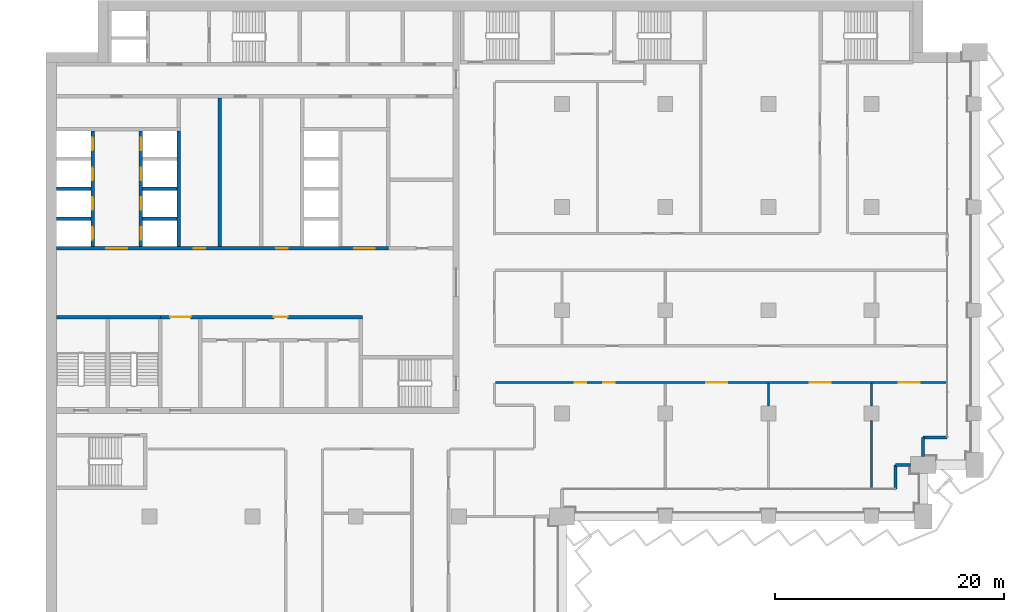
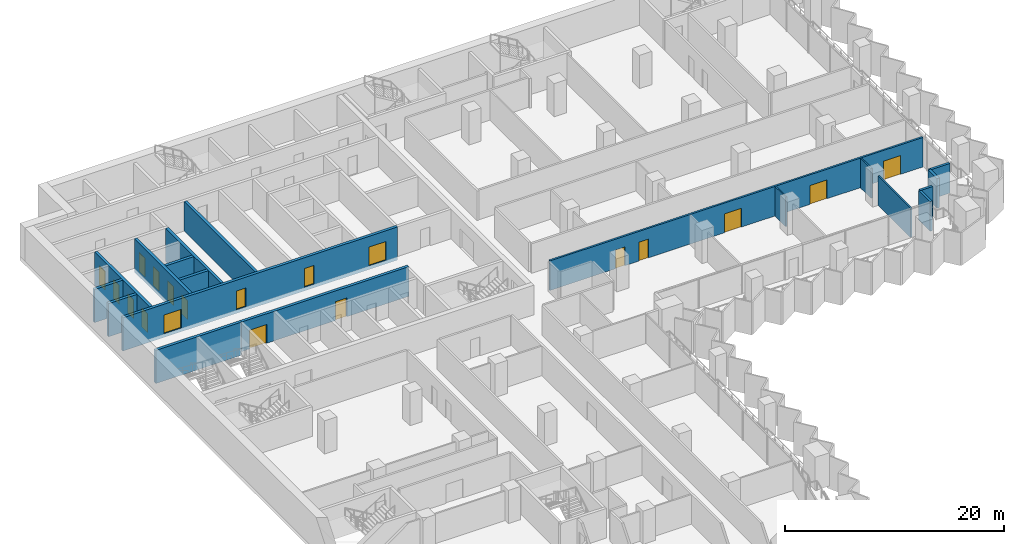
# One storey, part 12 of 23: 19 doors, 19 walls, 19 openings.
"""IFC4 building model written with IfcOpenShell, lengths in metres."""

from ifc_helpers import new_model, si_unit, direction, frame, frame_2d, origin, place, context, subcontext, project, spatial, rectangle, extrude, material, layer, layer_set, type_object, element, fill, save


model = new_model("IFC4")

# Units and contexts
model_context = context("Model", 3, precision=1e-05, world=origin(), true_north=direction((0.0, 1.0)))
body_context = subcontext(model_context, "Body", "Model", "MODEL_VIEW")
ifc_project = project(units=[si_unit("LENGTHUNIT", "METRE"), si_unit("AREAUNIT", "SQUARE_METRE"), si_unit("VOLUMEUNIT", "CUBIC_METRE"), si_unit("PLANEANGLEUNIT", "RADIAN"), si_unit("MASSUNIT", "GRAM", prefix="KILO")], contexts=[model_context])

# Site, building, storey
site_placement = place(None, origin())
site = spatial("IfcSite", under=ifc_project, at=site_placement, CompositionType="ELEMENT")
building_placement = place(site_placement, origin())
building = spatial("IfcBuilding", under=site, at=building_placement, Name="Hunhe Ridgeline Campus", CompositionType="ELEMENT")
storey_placement = place(building_placement, frame((0.0, 0.0, 95.89990234375)))
storey = spatial("IfcBuildingStorey", under=building, at=storey_placement, Name="L23", CompositionType="ELEMENT", Elevation=95.89990234375)

# Wall, openings, doors
ifc_material_1 = material(Name="Masonry concrete blockwork", Category="masonry")
ifc_layer_1 = layer(ifc_material_1, 0.300048828125)
ifc_layer_set_1 = layer_set([ifc_layer_1], Name="Core room partition 300 concrete block")
wall_type_1 = type_object("IfcWallType", Name="Core room partition 300 concrete block", PredefinedType="PARTITIONING", material=ifc_layer_set_1)
wall_1_placement = place(storey_placement, frame((9.949951171875, 71.39990234375, 0.0), z_axis=(0.0, 0.0, 1.0), x_axis=(1.0, 0.0, 0.0)))
wall_1 = element("IfcWall", 1, at=wall_1_placement, inside=storey, type_object=wall_type_1, Name="L23 core partition 11", PredefinedType="PARTITIONING", context=body_context, shape_type="SweptSolid", body=[
    extrude(rectangle(XDim=17.650146484375, YDim=0.300048828125, at=frame_2d((8.8251953125, 0.0))), origin(), (0.0, 0.0, 1.0), 3.300048828125),
])
opening_1_placement = place(wall_1_placement, frame((0.85009765625, 0.0, 0.0)))
opening_1 = element("IfcOpeningElement", 2, at=opening_1_placement, cuts=wall_1, Name="Opening CD7", PredefinedType="OPENING", context=body_context, shape_type="SweptSolid", body=[
    extrude(rectangle(XDim=1.800048828125, YDim=2.10009765625, at=frame_2d((0.89990234375, 1.050048828125))), frame((0.0, 0.14990234375, 0.0), z_axis=(0.0, -1.0, 0.0), x_axis=(1.0, 0.0, 0.0)), (0.0, 0.0, 1.0), 0.300048828125),
])
opening_2_placement = place(wall_1_placement, frame((9.89990234375, 0.0, 0.0)))
opening_2 = element("IfcOpeningElement", 3, at=opening_2_placement, cuts=wall_1, Name="Opening CD12", PredefinedType="OPENING", context=body_context, shape_type="SweptSolid", body=[
    extrude(rectangle(XDim=1.199951171875, YDim=2.10009765625, at=frame_2d((0.60009765625, 1.050048828125))), frame((0.0, 0.14990234375, 0.0), z_axis=(0.0, -1.0, 0.0), x_axis=(1.0, 0.0, 0.0)), (0.0, 0.0, 1.0), 0.300048828125),
])
ifc_material_2 = material(Name="Anodised aluminium and glass", Category="aluminium")
door_type_1 = type_object("IfcDoorType", Name="Glazed double door 1800x2100", OperationType="DOUBLE_DOOR_SINGLE_SWING", PredefinedType="DOOR", material=ifc_material_2)
door_1_placement = place(opening_1_placement, origin())
door_1 = element("IfcDoor", 4, at=door_1_placement, inside=storey, type_object=door_type_1, Name="L23 door VEST-HALL", OperationType="DOUBLE_DOOR_SINGLE_SWING", OverallHeight=2.10009765625, OverallWidth=1.800048828125, PredefinedType="DOOR", context=body_context, shape_type="SweptSolid", body=[
    extrude(rectangle(XDim=1.800048828125, YDim=2.10009765625, at=frame_2d((0.89990234375, 1.050048828125))), frame((0.0, 0.02490234375, 0.0), z_axis=(0.0, -1.0, 0.0), x_axis=(1.0, 0.0, 0.0)), (0.0, 0.0, 1.0), 0.050048828125),
])
fill(opening_1, door_1)
ifc_material_3 = material(Name="Solid core timber door leaf", Category="wood")
door_type_2 = type_object("IfcDoorType", Name="Timber door 1200x2100", OperationType="SINGLE_SWING_LEFT", PredefinedType="DOOR", material=ifc_material_3)
door_2_placement = place(opening_2_placement, origin())
door_2 = element("IfcDoor", 5, at=door_2_placement, inside=storey, type_object=door_type_2, Name="L23 door WCL2-HALL", OperationType="SINGLE_SWING_LEFT", OverallHeight=2.10009765625, OverallWidth=1.199951171875, PredefinedType="DOOR", context=body_context, shape_type="SweptSolid", body=[
    extrude(rectangle(XDim=1.199951171875, YDim=2.10009765625, at=frame_2d((0.60009765625, 1.050048828125))), frame((0.0, 0.02490234375, 0.0), z_axis=(0.0, -1.0, 0.0), x_axis=(1.0, 0.0, 0.0)), (0.0, 0.0, 1.0), 0.050048828125),
])
fill(opening_2, door_2)

# Walls
wall_2_placement = place(storey_placement, frame((15.14990234375, 77.550048828125, 0.0), z_axis=(0.0, 0.0, 1.0), x_axis=(0.0, 1.0, 0.0)))
element("IfcWall", 6, at=wall_2_placement, inside=storey, type_object=wall_type_1, Name="L23 core partition 44", PredefinedType="PARTITIONING", context=body_context, shape_type="SweptSolid", body=[
    extrude(rectangle(XDim=12.949951171875, YDim=0.300048828125, at=frame_2d((6.47509765625, 0.0))), origin(), (0.0, 0.0, 1.0), 3.300048828125),
])
ifc_material_4 = material(Name="Concrete C30", Category="concrete")
ifc_layer_2 = layer(ifc_material_4, 0.25)
ifc_layer_set_2 = layer_set([ifc_layer_2], Name="Corner return wall 250 Concrete C30")
wall_type_2 = type_object("IfcWallType", Name="Corner return wall 250 Concrete C30", PredefinedType="SOLIDWALL", material=ifc_layer_set_2)
wall_3_placement = place(storey_placement, frame((74.09912109375, 56.40087890625, 0.0), z_axis=(0.0, 0.0, 1.0), x_axis=(0.00011626555, 0.999999993241, 0.0)))
element("IfcWall", 7, at=wall_3_placement, inside=storey, type_object=wall_type_2, Name="Corner return wall 4", PredefinedType="SOLIDWALL", context=body_context, shape_type="SweptSolid", body=[
    extrude(rectangle(XDim=2.099853515625, YDim=0.25, at=frame_2d((1.0498046875, 0.0))), origin(), (0.0, 0.0, 1.0), 3.300048828125),
])
wall_4_placement = place(storey_placement, frame((74.099365234375, 58.500732421875, 0.0), z_axis=(0.0, 0.0, 1.0), x_axis=(0.99999998238, 0.000187722918, 0.0)))
element("IfcWall", 8, at=wall_4_placement, inside=storey, type_object=wall_type_2, Name="Corner return wall 5", PredefinedType="SOLIDWALL", context=body_context, shape_type="SweptSolid", body=[
    extrude(rectangle(XDim=1.300537109375, YDim=0.25, at=frame_2d((0.650390625, 0.0))), origin(), (0.0, 0.0, 1.0), 3.300048828125),
])
wall_5_placement = place(storey_placement, frame((76.4990234375, 59.25, 0.0), z_axis=(0.0, 0.0, 1.0), x_axis=(0.000147907113, 0.999999989062, 0.0)))
element("IfcWall", 9, at=wall_5_placement, inside=storey, type_object=wall_type_2, Name="Corner return wall 6", PredefinedType="SOLIDWALL", context=body_context, shape_type="SweptSolid", body=[
    extrude(rectangle(XDim=1.650634765625, YDim=0.25, at=frame_2d((0.8251953125, 0.0))), origin(), (0.0, 0.0, 1.0), 3.300048828125),
])
wall_6_placement = place(storey_placement, frame((76.499267578125, 60.900634765625, 0.0), z_axis=(0.0, 0.0, 1.0), x_axis=(0.999999993241, 0.00011626555, 0.0)))
element("IfcWall", 10, at=wall_6_placement, inside=storey, type_object=wall_type_2, Name="Corner return wall 7", PredefinedType="SOLIDWALL", context=body_context, shape_type="SweptSolid", body=[
    extrude(rectangle(XDim=2.099853515625, YDim=0.25, at=frame_2d((1.0498046875, 0.0))), origin(), (0.0, 0.0, 1.0), 3.300048828125),
])

# Wall, openings, doors
ifc_material_5 = material(Name="Gypsum board partition")
ifc_layer_3 = layer(ifc_material_5, 0.199951171875)
ifc_layer_set_3 = layer_set([ifc_layer_3], Name="Corridor partition 200 gypsum board on steel studs")
wall_type_3 = type_object("IfcWallType", Name="Corridor partition 200 gypsum board on steel studs", PredefinedType="PARTITIONING", material=ifc_layer_set_3)
wall_7_placement = place(storey_placement, frame((78.544921875, 65.699951171875, 0.0), z_axis=(0.0, 0.0, 1.0), x_axis=(-1.0, 0.0, 0.0)))
wall_7 = element("IfcWall", 11, at=wall_7_placement, inside=storey, type_object=wall_type_3, Name="F-L23-wall-033", PredefinedType="PARTITIONING", context=body_context, shape_type="SweptSolid", body=[
    extrude(rectangle(XDim=39.344970703125, YDim=0.199951171875, at=frame_2d((19.67236328125, 0.0))), origin(), (0.0, 0.0, 1.0), 3.300048828125),
])
opening_3_placement = place(wall_7_placement, frame((31.4521484375, 0.0, 0.0)))
opening_3 = element("IfcOpeningElement", 12, at=opening_3_placement, cuts=wall_7, Name="Opening RD1-020", PredefinedType="OPENING", context=body_context, shape_type="SweptSolid", body=[
    extrude(rectangle(XDim=1.0, YDim=2.10009765625, at=frame_2d((0.5, 1.050048828125))), frame((0.0, 0.10009765625, 0.0), z_axis=(0.0, -1.0, 0.0), x_axis=(1.0, 0.0, 0.0)), (0.0, 0.0, 1.0), 0.199951171875),
])
opening_4_placement = place(wall_7_placement, frame((28.9521484375, 0.0, 0.0)))
opening_4 = element("IfcOpeningElement", 13, at=opening_4_placement, cuts=wall_7, Name="Opening RD1-021", PredefinedType="OPENING", context=body_context, shape_type="SweptSolid", body=[
    extrude(rectangle(XDim=1.0, YDim=2.10009765625, at=frame_2d((0.5, 1.050048828125))), frame((0.0, 0.10009765625, 0.0), z_axis=(0.0, -1.0, 0.0), x_axis=(1.0, 0.0, 0.0)), (0.0, 0.0, 1.0), 0.199951171875),
])
opening_5_placement = place(wall_7_placement, frame((19.1484375, 0.0, 0.0)))
opening_5 = element("IfcOpeningElement", 14, at=opening_5_placement, cuts=wall_7, Name="Opening RD2-022", PredefinedType="OPENING", context=body_context, shape_type="SweptSolid", body=[
    extrude(rectangle(XDim=1.800048828125, YDim=2.10009765625, at=frame_2d((0.89990234375, 1.050048828125))), frame((0.0, 0.10009765625, 0.0), z_axis=(0.0, -1.0, 0.0), x_axis=(1.0, 0.0, 0.0)), (0.0, 0.0, 1.0), 0.199951171875),
])
opening_6_placement = place(wall_7_placement, frame((10.126708984375, 0.0, 0.0)))
opening_6 = element("IfcOpeningElement", 15, at=opening_6_placement, cuts=wall_7, Name="Opening RD2-023", PredefinedType="OPENING", context=body_context, shape_type="SweptSolid", body=[
    extrude(rectangle(XDim=1.800048828125, YDim=2.10009765625, at=frame_2d((0.89990234375, 1.050048828125))), frame((0.0, 0.10009765625, 0.0), z_axis=(0.0, -1.0, 0.0), x_axis=(1.0, 0.0, 0.0)), (0.0, 0.0, 1.0), 0.199951171875),
])
opening_7_placement = place(wall_7_placement, frame((2.35791015625, 0.0, 0.0)))
opening_7 = element("IfcOpeningElement", 16, at=opening_7_placement, cuts=wall_7, Name="Opening RD2-024", PredefinedType="OPENING", context=body_context, shape_type="SweptSolid", body=[
    extrude(rectangle(XDim=1.800048828125, YDim=2.10009765625, at=frame_2d((0.89990234375, 1.050048828125))), frame((0.0, 0.10009765625, 0.0), z_axis=(0.0, -1.0, 0.0), x_axis=(1.0, 0.0, 0.0)), (0.0, 0.0, 1.0), 0.199951171875),
])
ifc_material_6 = material(Name="Timber door leaf", Category="wood")
door_type_3 = type_object("IfcDoorType", Name="Double fire door 1800x2100 timber FD60", OperationType="DOUBLE_DOOR_SINGLE_SWING", PredefinedType="DOOR", material=ifc_material_6)
door_3_placement = place(opening_5_placement, origin())
door_3 = element("IfcDoor", 17, at=door_3_placement, inside=storey, type_object=door_type_3, Name="F-L23-door-022", OperationType="DOUBLE_DOOR_SINGLE_SWING", OverallHeight=2.10009765625, OverallWidth=1.800048828125, PredefinedType="DOOR", context=body_context, shape_type="SweptSolid", body=[
    extrude(rectangle(XDim=1.800048828125, YDim=2.10009765625, at=frame_2d((0.89990234375, 1.050048828125))), frame((0.0, 0.02490234375, 0.0), z_axis=(0.0, -1.0, 0.0), x_axis=(1.0, 0.0, 0.0)), (0.0, 0.0, 1.0), 0.050048828125),
])
fill(opening_5, door_3)
door_4_placement = place(opening_6_placement, origin())
door_4 = element("IfcDoor", 18, at=door_4_placement, inside=storey, type_object=door_type_3, Name="F-L23-door-023", OperationType="DOUBLE_DOOR_SINGLE_SWING", OverallHeight=2.10009765625, OverallWidth=1.800048828125, PredefinedType="DOOR", context=body_context, shape_type="SweptSolid", body=[
    extrude(rectangle(XDim=1.800048828125, YDim=2.10009765625, at=frame_2d((0.89990234375, 1.050048828125))), frame((0.0, 0.02490234375, 0.0), z_axis=(0.0, -1.0, 0.0), x_axis=(1.0, 0.0, 0.0)), (0.0, 0.0, 1.0), 0.050048828125),
])
fill(opening_6, door_4)
door_5_placement = place(opening_7_placement, origin())
door_5 = element("IfcDoor", 19, at=door_5_placement, inside=storey, type_object=door_type_3, Name="F-L23-door-024", OperationType="DOUBLE_DOOR_SINGLE_SWING", OverallHeight=2.10009765625, OverallWidth=1.800048828125, PredefinedType="DOOR", context=body_context, shape_type="SweptSolid", body=[
    extrude(rectangle(XDim=1.800048828125, YDim=2.10009765625, at=frame_2d((0.89990234375, 1.050048828125))), frame((0.0, 0.02490234375, 0.0), z_axis=(0.0, -1.0, 0.0), x_axis=(1.0, 0.0, 0.0)), (0.0, 0.0, 1.0), 0.050048828125),
])
fill(opening_7, door_5)
door_type_4 = type_object("IfcDoorType", Name="Single fire door 1000x2100 timber FD60", OperationType="NOTDEFINED", PredefinedType="DOOR", material=ifc_material_6)
door_6_placement = place(opening_3_placement, frame((1.0, 0.0, 0.0), z_axis=(0.0, 0.0, 1.0), x_axis=(-1.0, 0.0, 0.0)))
door_6 = element("IfcDoor", 20, at=door_6_placement, inside=storey, type_object=door_type_4, Name="F-L23-door-020", OperationType="SINGLE_SWING_LEFT", OverallHeight=2.10009765625, OverallWidth=1.0, PredefinedType="DOOR", context=body_context, shape_type="SweptSolid", body=[
    extrude(rectangle(XDim=1.0, YDim=2.10009765625, at=frame_2d((0.5, 1.050048828125))), frame((0.0, 0.02490234375, 0.0), z_axis=(0.0, -1.0, 0.0), x_axis=(1.0, 0.0, 0.0)), (0.0, 0.0, 1.0), 0.050048828125),
])
fill(opening_3, door_6)
door_7_placement = place(opening_4_placement, frame((1.0, 0.0, 0.0), z_axis=(0.0, 0.0, 1.0), x_axis=(-1.0, 0.0, 0.0)))
door_7 = element("IfcDoor", 21, at=door_7_placement, inside=storey, type_object=door_type_4, Name="F-L23-door-021", OperationType="SINGLE_SWING_RIGHT", OverallHeight=2.10009765625, OverallWidth=1.0, PredefinedType="DOOR", context=body_context, shape_type="SweptSolid", body=[
    extrude(rectangle(XDim=1.0, YDim=2.10009765625, at=frame_2d((0.5, 1.050048828125))), frame((0.0, 0.02490234375, 0.0), z_axis=(0.0, -1.0, 0.0), x_axis=(1.0, 0.0, 0.0)), (0.0, 0.0, 1.0), 0.050048828125),
])
fill(opening_4, door_7)

# Walls
ifc_layer_4 = layer(ifc_material_5, 0.14990234375)
ifc_layer_set_4 = layer_set([ifc_layer_4], Name="Room partition 150 gypsum board on steel studs")
wall_type_4 = type_object("IfcWallType", Name="Room partition 150 gypsum board on steel studs", PredefinedType="PARTITIONING", material=ifc_layer_set_4)
wall_8_placement = place(storey_placement, frame((63.0, 65.60009765625, 0.0), z_axis=(0.0, 0.0, 1.0), x_axis=(0.0, -1.0, 0.0)))
element("IfcWall", 22, at=wall_8_placement, inside=storey, type_object=wall_type_4, Name="F-L23-wall-067", PredefinedType="PARTITIONING", context=body_context, shape_type="SweptSolid", body=[
    extrude(rectangle(XDim=1.9501953125, YDim=0.14990234375, at=frame_2d((0.97509765625, 0.0))), origin(), (0.0, 0.0, 1.0), 3.300048828125),
])
wall_9_placement = place(storey_placement, frame((72.0, 62.35009765625, 0.0), z_axis=(0.0, 0.0, 1.0), x_axis=(0.0, -1.0, 0.0)))
element("IfcWall", 23, at=wall_9_placement, inside=storey, type_object=wall_type_4, Name="F-L23-wall-070", PredefinedType="PARTITIONING", context=body_context, shape_type="SweptSolid", body=[
    extrude(rectangle(XDim=5.89501953125, YDim=0.14990234375, at=frame_2d((2.947509765625, 0.0))), origin(), (0.0, 0.0, 1.0), 3.300048828125),
])
wall_10_placement = place(storey_placement, frame((72.0, 65.60009765625, 0.0), z_axis=(0.0, 0.0, 1.0), x_axis=(0.0, -1.0, 0.0)))
element("IfcWall", 24, at=wall_10_placement, inside=storey, type_object=wall_type_4, Name="F-L23-wall-071", PredefinedType="PARTITIONING", context=body_context, shape_type="SweptSolid", body=[
    extrude(rectangle(XDim=1.9501953125, YDim=0.14990234375, at=frame_2d((0.97509765625, 0.0))), origin(), (0.0, 0.0, 1.0), 3.300048828125),
])

# Wall, openings, doors
ifc_material_7 = material(Name="Concrete C80", Category="concrete")
ifc_layer_5 = layer(ifc_material_7, 0.300048828125)
ifc_layer_set_5 = layer_set([ifc_layer_5], Name="Shaft wall 300 reinforced concrete C80")
wall_type_5 = type_object("IfcWallType", Name="Shaft wall 300 reinforced concrete C80", PredefinedType="SOLIDWALL", material=ifc_layer_set_5)
wall_11_placement = place(storey_placement, frame((0.89990234375, 77.39990234375, -0.39990234375), z_axis=(0.0, 0.0, 1.0), x_axis=(1.0, 0.0, 0.0)))
wall_11 = element("IfcWall", 25, at=wall_11_placement, inside=storey, type_object=wall_type_5, Name="L23 core wall 12", PredefinedType="SOLIDWALL", context=body_context, shape_type="SweptSolid", body=[
    extrude(rectangle(XDim=28.9501953125, YDim=0.300048828125, at=frame_2d((14.47509765625, 0.0))), origin(), (0.0, 0.0, 1.0), 3.699951171875),
])
opening_8_placement = place(wall_11_placement, frame((4.35009765625, 0.0, 0.39990234375)))
opening_8 = element("IfcOpeningElement", 26, at=opening_8_placement, cuts=wall_11, Name="Opening CD1", PredefinedType="OPENING", context=body_context, shape_type="SweptSolid", body=[
    extrude(rectangle(XDim=1.800048828125, YDim=2.10009765625, at=frame_2d((0.89990234375, 1.050048828125))), frame((0.0, 0.14990234375, 0.0), z_axis=(0.0, -1.0, 0.0), x_axis=(1.0, 0.0, 0.0)), (0.0, 0.0, 1.0), 0.300048828125),
])
opening_9_placement = place(wall_11_placement, frame((25.949951171875, 0.0, 0.39990234375)))
opening_9 = element("IfcOpeningElement", 27, at=opening_9_placement, cuts=wall_11, Name="Opening CD2", PredefinedType="OPENING", context=body_context, shape_type="SweptSolid", body=[
    extrude(rectangle(XDim=1.800048828125, YDim=2.10009765625, at=frame_2d((0.89990234375, 1.050048828125))), frame((0.0, 0.14990234375, 0.0), z_axis=(0.0, -1.0, 0.0), x_axis=(1.0, 0.0, 0.0)), (0.0, 0.0, 1.0), 0.300048828125),
])
opening_10_placement = place(wall_11_placement, frame((11.949951171875, 0.0, 0.39990234375)))
opening_10 = element("IfcOpeningElement", 28, at=opening_10_placement, cuts=wall_11, Name="Opening CD28", PredefinedType="OPENING", context=body_context, shape_type="SweptSolid", body=[
    extrude(rectangle(XDim=1.0, YDim=2.10009765625, at=frame_2d((0.5, 1.050048828125))), frame((0.0, 0.14990234375, 0.0), z_axis=(0.0, -1.0, 0.0), x_axis=(1.0, 0.0, 0.0)), (0.0, 0.0, 1.0), 0.300048828125),
])
opening_11_placement = place(wall_11_placement, frame((19.14990234375, 0.0, 0.39990234375)))
opening_11 = element("IfcOpeningElement", 29, at=opening_11_placement, cuts=wall_11, Name="Opening CD30", PredefinedType="OPENING", context=body_context, shape_type="SweptSolid", body=[
    extrude(rectangle(XDim=1.0, YDim=2.10009765625, at=frame_2d((0.5, 1.050048828125))), frame((0.0, 0.14990234375, 0.0), z_axis=(0.0, -1.0, 0.0), x_axis=(1.0, 0.0, 0.0)), (0.0, 0.0, 1.0), 0.300048828125),
])
ifc_material_8 = material(Name="Hollow metal fire door leaf")
door_type_5 = type_object("IfcDoorType", Name="Lobby door 1800x2100 FD60", OperationType="SINGLE_SWING_LEFT", PredefinedType="DOOR", material=ifc_material_8)
door_8_placement = place(opening_8_placement, frame((1.800048828125, 0.0, 0.0), z_axis=(0.0, 0.0, 1.0), x_axis=(-1.0, 0.0, 0.0)))
door_8 = element("IfcDoor", 30, at=door_8_placement, inside=storey, type_object=door_type_5, Name="L23 door LOB-LR", OperationType="SINGLE_SWING_RIGHT", OverallHeight=2.10009765625, OverallWidth=1.800048828125, PredefinedType="DOOR", context=body_context, shape_type="SweptSolid", body=[
    extrude(rectangle(XDim=1.800048828125, YDim=2.10009765625, at=frame_2d((0.89990234375, 1.050048828125))), frame((0.0, 0.02490234375, 0.0), z_axis=(0.0, -1.0, 0.0), x_axis=(1.0, 0.0, 0.0)), (0.0, 0.0, 1.0), 0.050048828125),
])
fill(opening_8, door_8)
door_9_placement = place(opening_9_placement, frame((1.800048828125, 0.0, 0.0), z_axis=(0.0, 0.0, 1.0), x_axis=(-1.0, 0.0, 0.0)))
door_9 = element("IfcDoor", 31, at=door_9_placement, inside=storey, type_object=door_type_5, Name="L23 door LOB-SH", OperationType="SINGLE_SWING_LEFT", OverallHeight=2.10009765625, OverallWidth=1.800048828125, PredefinedType="DOOR", context=body_context, shape_type="SweptSolid", body=[
    extrude(rectangle(XDim=1.800048828125, YDim=2.10009765625, at=frame_2d((0.89990234375, 1.050048828125))), frame((0.0, 0.02490234375, 0.0), z_axis=(0.0, -1.0, 0.0), x_axis=(1.0, 0.0, 0.0)), (0.0, 0.0, 1.0), 0.050048828125),
])
fill(opening_9, door_9)
door_type_6 = type_object("IfcDoorType", Name="Timber door 1000x2100", OperationType="SINGLE_SWING_LEFT", PredefinedType="DOOR", material=ifc_material_3)
door_10_placement = place(opening_10_placement, origin())
door_10 = element("IfcDoor", 32, at=door_10_placement, inside=storey, type_object=door_type_6, Name="L23 door VD-HR0", OperationType="SINGLE_SWING_LEFT", OverallHeight=2.10009765625, OverallWidth=1.0, PredefinedType="DOOR", context=body_context, shape_type="SweptSolid", body=[
    extrude(rectangle(XDim=1.0, YDim=2.10009765625, at=frame_2d((0.5, 1.050048828125))), frame((0.0, 0.02490234375, 0.0), z_axis=(0.0, -1.0, 0.0), x_axis=(1.0, 0.0, 0.0)), (0.0, 0.0, 1.0), 0.050048828125),
])
fill(opening_10, door_10)
door_11_placement = place(opening_11_placement, origin())
door_11 = element("IfcDoor", 33, at=door_11_placement, inside=storey, type_object=door_type_6, Name="L23 door VD-HR2", OperationType="SINGLE_SWING_LEFT", OverallHeight=2.10009765625, OverallWidth=1.0, PredefinedType="DOOR", context=body_context, shape_type="SweptSolid", body=[
    extrude(rectangle(XDim=1.0, YDim=2.10009765625, at=frame_2d((0.5, 1.050048828125))), frame((0.0, 0.02490234375, 0.0), z_axis=(0.0, -1.0, 0.0), x_axis=(1.0, 0.0, 0.0)), (0.0, 0.0, 1.0), 0.050048828125),
])
fill(opening_11, door_11)

# Walls
for number, where, z_axis, x_axis, name in (
    (34, (0.89990234375, 80.0, -0.39990234375), (0.0, 0.0, 1.0), (1.0, 0.0, 0.0), "L23 core wall 14"),
    (35, (8.39990234375, 80.0, -0.39990234375), (0.0, 0.0, 1.0), (1.0, 0.0, 0.0), "L23 core wall 15"),
    (36, (0.89990234375, 82.60009765625, -0.39990234375), (0.0, 0.0, 1.0), (1.0, 0.0, 0.0), "L23 core wall 17"),
    (37, (8.39990234375, 82.60009765625, -0.39990234375), (0.0, 0.0, 1.0), (1.0, 0.0, 0.0), "L23 core wall 18"),
):
    element("IfcWall", number, at=place(storey_placement, frame(where, z_axis=z_axis, x_axis=x_axis)), inside=storey, type_object=wall_type_5, Name=name, PredefinedType="SOLIDWALL", context=body_context, shape_type="SweptSolid", body=[
        extrude(rectangle(XDim=3.0, YDim=0.300048828125, at=frame_2d((1.5, 0.0))), origin(), (0.0, 0.0, 1.0), 3.699951171875),
    ])

# Wall, openings, doors
wall_12_placement = place(storey_placement, frame((4.050048828125, 77.550048828125, -0.39990234375), z_axis=(0.0, 0.0, 1.0), x_axis=(0.0, 1.0, 0.0)))
wall_12 = element("IfcWall", 38, at=wall_12_placement, inside=storey, type_object=wall_type_5, Name="L23 core wall 32", PredefinedType="SOLIDWALL", context=body_context, shape_type="SweptSolid", body=[
    extrude(rectangle(XDim=10.099853515625, YDim=0.300048828125, at=frame_2d((5.0498046875, 0.0))), origin(), (0.0, 0.0, 1.0), 3.699951171875),
])
opening_12_placement = place(wall_12_placement, frame((0.60009765625, 0.0, 0.39990234375)))
opening_12 = element("IfcOpeningElement", 39, at=opening_12_placement, cuts=wall_12, Name="Opening LD-LR1", PredefinedType="OPENING", context=body_context, shape_type="SweptSolid", body=[
    extrude(rectangle(XDim=1.10009765625, YDim=2.10009765625, at=frame_2d((0.550048828125, 1.050048828125))), frame((0.0, 0.14990234375, 0.0), z_axis=(0.0, -1.0, 0.0), x_axis=(1.0, 0.0, 0.0)), (0.0, 0.0, 1.0), 0.300048828125),
])
opening_13_placement = place(wall_12_placement, frame((3.199951171875, 0.0, 0.39990234375)))
opening_13 = element("IfcOpeningElement", 40, at=opening_13_placement, cuts=wall_12, Name="Opening LD-LR2", PredefinedType="OPENING", context=body_context, shape_type="SweptSolid", body=[
    extrude(rectangle(XDim=1.10009765625, YDim=2.10009765625, at=frame_2d((0.550048828125, 1.050048828125))), frame((0.0, 0.14990234375, 0.0), z_axis=(0.0, -1.0, 0.0), x_axis=(1.0, 0.0, 0.0)), (0.0, 0.0, 1.0), 0.300048828125),
])
opening_14_placement = place(wall_12_placement, frame((5.800048828125, 0.0, 0.39990234375)))
opening_14 = element("IfcOpeningElement", 41, at=opening_14_placement, cuts=wall_12, Name="Opening LD-LR3", PredefinedType="OPENING", context=body_context, shape_type="SweptSolid", body=[
    extrude(rectangle(XDim=1.10009765625, YDim=2.10009765625, at=frame_2d((0.550048828125, 1.050048828125))), frame((0.0, 0.14990234375, 0.0), z_axis=(0.0, -1.0, 0.0), x_axis=(1.0, 0.0, 0.0)), (0.0, 0.0, 1.0), 0.300048828125),
])
opening_15_placement = place(wall_12_placement, frame((8.39990234375, 0.0, 0.39990234375)))
opening_15 = element("IfcOpeningElement", 42, at=opening_15_placement, cuts=wall_12, Name="Opening LD-LR4", PredefinedType="OPENING", context=body_context, shape_type="SweptSolid", body=[
    extrude(rectangle(XDim=1.10009765625, YDim=2.10009765625, at=frame_2d((0.550048828125, 1.050048828125))), frame((0.0, 0.14990234375, 0.0), z_axis=(0.0, -1.0, 0.0), x_axis=(1.0, 0.0, 0.0)), (0.0, 0.0, 1.0), 0.300048828125),
])
ifc_material_9 = material(Name="Stainless steel sliding leaves", Category="steel")
door_type_7 = type_object("IfcDoorType", Name="Landing door 1100x2100 FD120", OperationType="SLIDING_TO_LEFT", PredefinedType="DOOR", material=ifc_material_9)
door_12_placement = place(opening_12_placement, origin())
door_12 = element("IfcDoor", 43, at=door_12_placement, inside=storey, type_object=door_type_7, Name="L23 landing door LR1", OperationType="SLIDING_TO_RIGHT", OverallHeight=2.10009765625, OverallWidth=1.10009765625, PredefinedType="DOOR", context=body_context, shape_type="SweptSolid", body=[
    extrude(rectangle(XDim=1.10009765625, YDim=2.10009765625, at=frame_2d((0.550048828125, 1.050048828125))), frame((0.0, 0.02490234375, 0.0), z_axis=(0.0, -1.0, 0.0), x_axis=(1.0, 0.0, 0.0)), (0.0, 0.0, 1.0), 0.050048828125),
])
fill(opening_12, door_12)
door_13_placement = place(opening_13_placement, origin())
door_13 = element("IfcDoor", 44, at=door_13_placement, inside=storey, type_object=door_type_7, Name="L23 landing door LR2", OperationType="SLIDING_TO_LEFT", OverallHeight=2.10009765625, OverallWidth=1.10009765625, PredefinedType="DOOR", context=body_context, shape_type="SweptSolid", body=[
    extrude(rectangle(XDim=1.10009765625, YDim=2.10009765625, at=frame_2d((0.550048828125, 1.050048828125))), frame((0.0, 0.02490234375, 0.0), z_axis=(0.0, -1.0, 0.0), x_axis=(1.0, 0.0, 0.0)), (0.0, 0.0, 1.0), 0.050048828125),
])
fill(opening_13, door_13)
door_14_placement = place(opening_14_placement, origin())
door_14 = element("IfcDoor", 45, at=door_14_placement, inside=storey, type_object=door_type_7, Name="L23 landing door LR3", OperationType="SLIDING_TO_RIGHT", OverallHeight=2.10009765625, OverallWidth=1.10009765625, PredefinedType="DOOR", context=body_context, shape_type="SweptSolid", body=[
    extrude(rectangle(XDim=1.10009765625, YDim=2.10009765625, at=frame_2d((0.550048828125, 1.050048828125))), frame((0.0, 0.02490234375, 0.0), z_axis=(0.0, -1.0, 0.0), x_axis=(1.0, 0.0, 0.0)), (0.0, 0.0, 1.0), 0.050048828125),
])
fill(opening_14, door_14)
door_15_placement = place(opening_15_placement, origin())
door_15 = element("IfcDoor", 46, at=door_15_placement, inside=storey, type_object=door_type_7, Name="L23 landing door LR4", OperationType="SLIDING_TO_LEFT", OverallHeight=2.10009765625, OverallWidth=1.10009765625, PredefinedType="DOOR", context=body_context, shape_type="SweptSolid", body=[
    extrude(rectangle(XDim=1.10009765625, YDim=2.10009765625, at=frame_2d((0.550048828125, 1.050048828125))), frame((0.0, 0.02490234375, 0.0), z_axis=(0.0, -1.0, 0.0), x_axis=(1.0, 0.0, 0.0)), (0.0, 0.0, 1.0), 0.050048828125),
])
fill(opening_15, door_15)

wall_13_placement = place(storey_placement, frame((8.25, 77.550048828125, -0.39990234375), z_axis=(0.0, 0.0, 1.0), x_axis=(0.0, 1.0, 0.0)))
wall_13 = element("IfcWall", 47, at=wall_13_placement, inside=storey, type_object=wall_type_5, Name="L23 core wall 35", PredefinedType="SOLIDWALL", context=body_context, shape_type="SweptSolid", body=[
    extrude(rectangle(XDim=10.099853515625, YDim=0.300048828125, at=frame_2d((5.0498046875, 0.0))), origin(), (0.0, 0.0, 1.0), 3.699951171875),
])
opening_16_placement = place(wall_13_placement, frame((0.60009765625, 0.0, 0.39990234375)))
opening_16 = element("IfcOpeningElement", 48, at=opening_16_placement, cuts=wall_13, Name="Opening LD-LR5", PredefinedType="OPENING", context=body_context, shape_type="SweptSolid", body=[
    extrude(rectangle(XDim=1.10009765625, YDim=2.10009765625, at=frame_2d((0.550048828125, 1.050048828125))), frame((0.0, 0.14990234375, 0.0), z_axis=(0.0, -1.0, 0.0), x_axis=(1.0, 0.0, 0.0)), (0.0, 0.0, 1.0), 0.300048828125),
])
opening_17_placement = place(wall_13_placement, frame((3.199951171875, 0.0, 0.39990234375)))
opening_17 = element("IfcOpeningElement", 49, at=opening_17_placement, cuts=wall_13, Name="Opening LD-LR6", PredefinedType="OPENING", context=body_context, shape_type="SweptSolid", body=[
    extrude(rectangle(XDim=1.10009765625, YDim=2.10009765625, at=frame_2d((0.550048828125, 1.050048828125))), frame((0.0, 0.14990234375, 0.0), z_axis=(0.0, -1.0, 0.0), x_axis=(1.0, 0.0, 0.0)), (0.0, 0.0, 1.0), 0.300048828125),
])
opening_18_placement = place(wall_13_placement, frame((5.800048828125, 0.0, 0.39990234375)))
opening_18 = element("IfcOpeningElement", 50, at=opening_18_placement, cuts=wall_13, Name="Opening LD-LR7", PredefinedType="OPENING", context=body_context, shape_type="SweptSolid", body=[
    extrude(rectangle(XDim=1.10009765625, YDim=2.10009765625, at=frame_2d((0.550048828125, 1.050048828125))), frame((0.0, 0.14990234375, 0.0), z_axis=(0.0, -1.0, 0.0), x_axis=(1.0, 0.0, 0.0)), (0.0, 0.0, 1.0), 0.300048828125),
])
opening_19_placement = place(wall_13_placement, frame((8.39990234375, 0.0, 0.39990234375)))
opening_19 = element("IfcOpeningElement", 51, at=opening_19_placement, cuts=wall_13, Name="Opening LD-LR8", PredefinedType="OPENING", context=body_context, shape_type="SweptSolid", body=[
    extrude(rectangle(XDim=1.10009765625, YDim=2.10009765625, at=frame_2d((0.550048828125, 1.050048828125))), frame((0.0, 0.14990234375, 0.0), z_axis=(0.0, -1.0, 0.0), x_axis=(1.0, 0.0, 0.0)), (0.0, 0.0, 1.0), 0.300048828125),
])
door_16_placement = place(opening_16_placement, origin())
door_16 = element("IfcDoor", 52, at=door_16_placement, inside=storey, type_object=door_type_7, Name="L23 landing door LR5", OperationType="SLIDING_TO_RIGHT", OverallHeight=2.10009765625, OverallWidth=1.10009765625, PredefinedType="DOOR", context=body_context, shape_type="SweptSolid", body=[
    extrude(rectangle(XDim=1.10009765625, YDim=2.10009765625, at=frame_2d((0.550048828125, 1.050048828125))), frame((0.0, 0.02490234375, 0.0), z_axis=(0.0, -1.0, 0.0), x_axis=(1.0, 0.0, 0.0)), (0.0, 0.0, 1.0), 0.050048828125),
])
fill(opening_16, door_16)
door_17_placement = place(opening_17_placement, origin())
door_17 = element("IfcDoor", 53, at=door_17_placement, inside=storey, type_object=door_type_7, Name="L23 landing door LR6", OperationType="SLIDING_TO_LEFT", OverallHeight=2.10009765625, OverallWidth=1.10009765625, PredefinedType="DOOR", context=body_context, shape_type="SweptSolid", body=[
    extrude(rectangle(XDim=1.10009765625, YDim=2.10009765625, at=frame_2d((0.550048828125, 1.050048828125))), frame((0.0, 0.02490234375, 0.0), z_axis=(0.0, -1.0, 0.0), x_axis=(1.0, 0.0, 0.0)), (0.0, 0.0, 1.0), 0.050048828125),
])
fill(opening_17, door_17)
door_18_placement = place(opening_18_placement, origin())
door_18 = element("IfcDoor", 54, at=door_18_placement, inside=storey, type_object=door_type_7, Name="L23 landing door LR7", OperationType="SLIDING_TO_RIGHT", OverallHeight=2.10009765625, OverallWidth=1.10009765625, PredefinedType="DOOR", context=body_context, shape_type="SweptSolid", body=[
    extrude(rectangle(XDim=1.10009765625, YDim=2.10009765625, at=frame_2d((0.550048828125, 1.050048828125))), frame((0.0, 0.02490234375, 0.0), z_axis=(0.0, -1.0, 0.0), x_axis=(1.0, 0.0, 0.0)), (0.0, 0.0, 1.0), 0.050048828125),
])
fill(opening_18, door_18)
door_19_placement = place(opening_19_placement, origin())
door_19 = element("IfcDoor", 55, at=door_19_placement, inside=storey, type_object=door_type_7, Name="L23 landing door LR8", OperationType="SLIDING_TO_LEFT", OverallHeight=2.10009765625, OverallWidth=1.10009765625, PredefinedType="DOOR", context=body_context, shape_type="SweptSolid", body=[
    extrude(rectangle(XDim=1.10009765625, YDim=2.10009765625, at=frame_2d((0.550048828125, 1.050048828125))), frame((0.0, 0.02490234375, 0.0), z_axis=(0.0, -1.0, 0.0), x_axis=(1.0, 0.0, 0.0)), (0.0, 0.0, 1.0), 0.050048828125),
])
fill(opening_19, door_19)

# Walls
wall_14_placement = place(storey_placement, frame((11.550048828125, 77.550048828125, -0.39990234375), z_axis=(0.0, 0.0, 1.0), x_axis=(0.0, 1.0, 0.0)))
element("IfcWall", 56, at=wall_14_placement, inside=storey, type_object=wall_type_5, Name="L23 core wall 40", PredefinedType="SOLIDWALL", context=body_context, shape_type="SweptSolid", body=[
    extrude(rectangle(XDim=10.099853515625, YDim=0.300048828125, at=frame_2d((5.0498046875, 0.0))), origin(), (0.0, 0.0, 1.0), 3.699951171875),
])
ifc_layer_6 = layer(ifc_material_7, 0.300048828125)
ifc_layer_set_6 = layer_set([ifc_layer_6], Name="Stair wall 300 reinforced concrete C80")
wall_type_6 = type_object("IfcWallType", Name="Stair wall 300 reinforced concrete C80", PredefinedType="SOLIDWALL", material=ifc_layer_set_6)
wall_15_placement = place(storey_placement, frame((0.89990234375, 71.39990234375, -0.39990234375), z_axis=(0.0, 0.0, 1.0), x_axis=(1.0, 0.0, 0.0)))
element("IfcWall", 57, at=wall_15_placement, inside=storey, type_object=wall_type_6, Name="L23 core wall 10", PredefinedType="SOLIDWALL", context=body_context, shape_type="SweptSolid", body=[
    extrude(rectangle(XDim=9.050048828125, YDim=0.300048828125, at=frame_2d((4.52490234375, 0.0))), origin(), (0.0, 0.0, 1.0), 3.699951171875),
])

save(model, "model.ifc")
